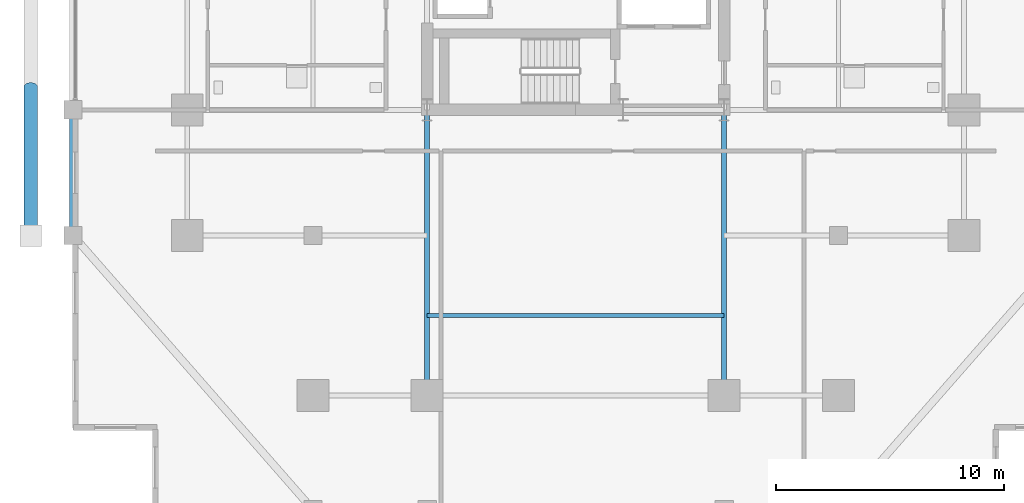
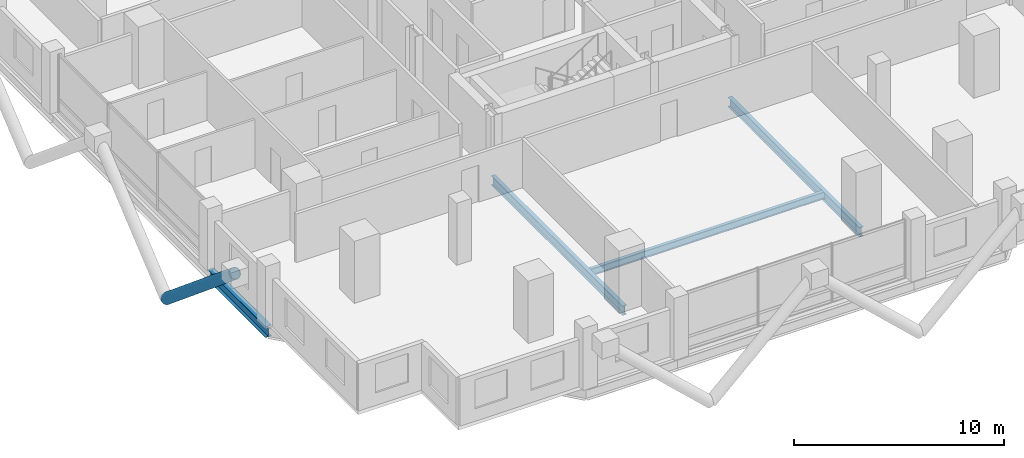
# One storey, part 3 of 23: 4 beams, 1 member.
"""IFC4 building model written with IfcOpenShell, lengths in metres."""

from ifc_helpers import new_model, si_unit, direction, frame, origin, origin_2d, place, context, subcontext, project, spatial, hollow_circle, i_section, extrude, material, material_profile, profile_set, type_object, element, save


model = new_model("IFC4")

# Units and contexts
model_context = context("Model", 3, precision=1e-05, world=origin(), true_north=direction((0.0, 1.0)))
body_context = subcontext(model_context, "Body", "Model", "MODEL_VIEW")
ifc_project = project(units=[si_unit("LENGTHUNIT", "METRE"), si_unit("AREAUNIT", "SQUARE_METRE"), si_unit("VOLUMEUNIT", "CUBIC_METRE"), si_unit("PLANEANGLEUNIT", "RADIAN"), si_unit("MASSUNIT", "GRAM", prefix="KILO")], contexts=[model_context])

# Site, building, storey
site_placement = place(None, origin())
site = spatial("IfcSite", under=ifc_project, at=site_placement, CompositionType="ELEMENT")
building_placement = place(site_placement, origin())
building = spatial("IfcBuilding", under=site, at=building_placement, Name="Barlavira Tower and Art Museum", CompositionType="ELEMENT")
storey_placement = place(building_placement, frame((0.0, 0.0, 57.60009765625)))
storey = spatial("IfcBuildingStorey", under=building, at=storey_placement, Name="L13", CompositionType="ELEMENT", Elevation=57.60009765625)

# Member
ifc_material = material(Name="Steel S355", Category="steel")
ifc_material_profile_1 = material_profile(ifc_material, hollow_circle(Radius=0.304931640625, WallThickness=0.028076171875, at=origin_2d()), Name="CHS 610.0x28.0")
ifc_profile_set_1 = profile_set([ifc_material_profile_1], Name="Steel S355")
member_type = type_object("IfcMemberType", Name="Pale-Metal Exoskeleton Diagrid Tube CHS 610x28 Steel S355", PredefinedType="BRACE", material=ifc_profile_set_1)
member_placement = place(storey_placement, frame((-23.85009765625, -6.5, -1.920166015625), z_axis=(0.0, -0.76918185268, 0.639029950399), x_axis=(1.0, 0.0, 0.0)))
element("IfcMember", 1, at=member_placement, inside=storey, type_object=member_type, Name="L13 Exoskeleton Diagrid Tube W", PredefinedType="BRACE", context=body_context, shape_type="SweptSolid", body=[
    extrude(hollow_circle(Radius=0.304931640625, WallThickness=0.028076171875, at=origin_2d()), origin(), (0.0, 0.0, 1.0), 8.450439453125),
])

# Beams
ifc_material_profile_2 = material_profile(ifc_material, i_section(OverallWidth=0.327880859375, OverallDepth=0.62890625, WebThickness=0.013916015625, FlangeThickness=0.021484375, at=origin_2d()), Name="W610x174.0")
ifc_profile_set_2 = profile_set([ifc_material_profile_2], Name="Steel S355")
beam_type_1 = type_object("IfcBeamType", Name="Perimeter Spandrel Edge Beam W610x174 Steel S355", PredefinedType="SPANDREL", material=ifc_profile_set_2)
beam_1_placement = place(storey_placement, frame((-22.0, -13.0, -0.53466796875), z_axis=(0.0, 1.0, 0.0), x_axis=(-1.0, 0.0, 0.0)))
element("IfcBeam", 2, at=beam_1_placement, inside=storey, type_object=beam_type_1, Name="L13 Spandrel 15", PredefinedType="SPANDREL", context=body_context, shape_type="SweptSolid", body=[
    extrude(i_section(OverallWidth=0.327880859375, OverallDepth=0.62890625, WebThickness=0.013916015625, FlangeThickness=0.021484375, at=origin_2d()), origin(), (0.0, 0.0, 1.0), 5.5),
])
ifc_material_profile_3 = material_profile(ifc_material, i_section(OverallWidth=0.180908203125, OverallDepth=0.4169921875, WebThickness=0.010986328125, FlangeThickness=0.018310546875, at=origin_2d()), Name="W410x85.0")
ifc_profile_set_3 = profile_set([ifc_material_profile_3], Name="Steel S355")
beam_type_2 = type_object("IfcBeamType", Name="Zone 1 Composite Floor Joist W410x85 Steel S355", PredefinedType="JOIST", material=ifc_profile_set_3)
beam_2_placement = place(storey_placement, frame((-6.5, -16.5, -0.4287109375), z_axis=(1.0, 0.0, 0.0), x_axis=(0.0, 1.0, 0.0)))
element("IfcBeam", 3, at=beam_2_placement, inside=storey, type_object=beam_type_2, Name="L13 Joist C1", PredefinedType="JOIST", context=body_context, shape_type="SweptSolid", body=[
    extrude(i_section(OverallWidth=0.180908203125, OverallDepth=0.4169921875, WebThickness=0.010986328125, FlangeThickness=0.018310546875, at=origin_2d()), origin(), (0.0, 0.0, 1.0), 13.0),
])
ifc_material_profile_4 = material_profile(ifc_material, i_section(OverallWidth=0.214111328125, OverallDepth=0.549072265625, WebThickness=0.0146484375, FlangeThickness=0.023681640625, at=origin_2d()), Name="W530x138.0")
ifc_profile_set_4 = profile_set([ifc_material_profile_4], Name="Steel S355")
beam_type_3 = type_object("IfcBeamType", Name="Zone 1 Primary Floor Girder W530x138 Steel S355", PredefinedType="BEAM", material=ifc_profile_set_4)
for number, where, z_axis, x_axis, name in (
    (4, (-6.5, -20.0, -0.49462890625), (0.0, 1.0, 0.0), (-1.0, 0.0, 0.0), "L13 Girder R-S1"),
    (5, (6.5, -20.0, -0.49462890625), (0.0, 1.0, 0.0), (-1.0, 0.0, 0.0), "L13 Girder R-S2"),
):
    element("IfcBeam", number, at=place(storey_placement, frame(where, z_axis=z_axis, x_axis=x_axis)), inside=storey, type_object=beam_type_3, Name=name, PredefinedType="BEAM", context=body_context, shape_type="SweptSolid", body=[
        extrude(i_section(OverallWidth=0.214111328125, OverallDepth=0.549072265625, WebThickness=0.0146484375, FlangeThickness=0.023681640625, at=origin_2d()), origin(), (0.0, 0.0, 1.0), 12.5),
    ])

save(model, "model.ifc")
